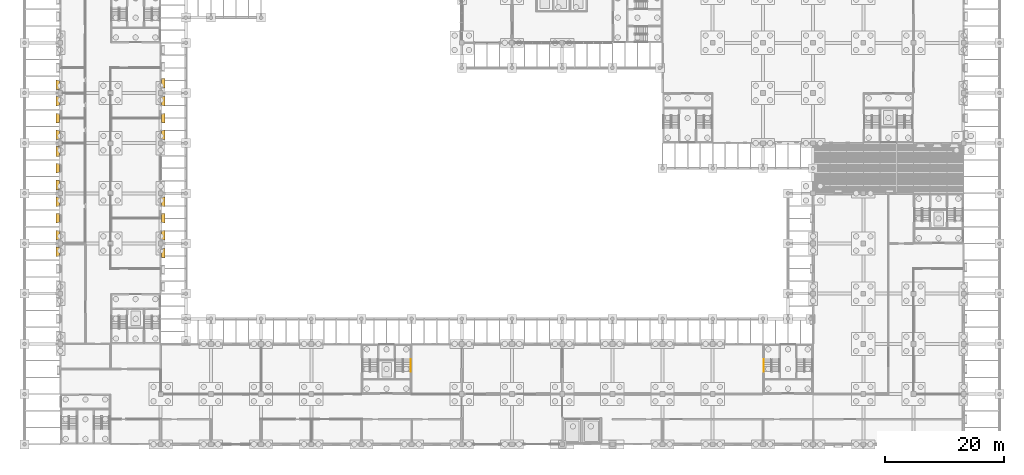
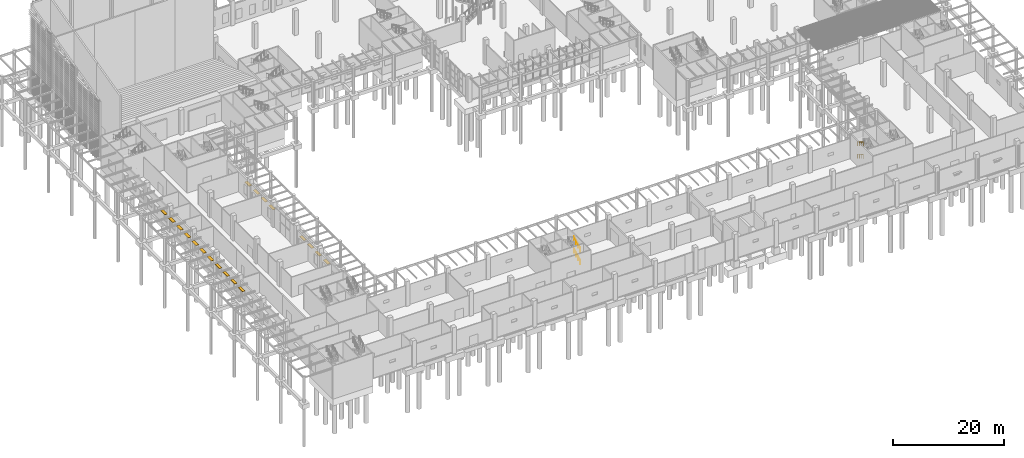
# One storey, part 58 of 82: 19 shading devices, 4 railings.
"""IFC4 building model written with IfcOpenShell, lengths in metres."""

from ifc_helpers import new_model, si_unit, direction, frame, origin, origin_2d, place, context, subcontext, project, spatial, rectangle, circle, extrude, material, material_profile, profile_set, type_object, element, save


model = new_model("IFC4")

# Units and contexts
model_context = context("Model", 3, precision=1e-05, world=origin(), true_north=direction((0.0, 1.0)))
body_context = subcontext(model_context, "Body", "Model", "MODEL_VIEW")
ifc_project = project(units=[si_unit("LENGTHUNIT", "METRE"), si_unit("AREAUNIT", "SQUARE_METRE"), si_unit("VOLUMEUNIT", "CUBIC_METRE"), si_unit("PLANEANGLEUNIT", "RADIAN"), si_unit("MASSUNIT", "GRAM", prefix="KILO")], contexts=[model_context])

# Site, building, storey
site_placement = place(None, origin())
site = spatial("IfcSite", under=ifc_project, at=site_placement, CompositionType="ELEMENT")
building_placement = place(site_placement, origin())
building = spatial("IfcBuilding", under=site, at=building_placement, Name="Almond Square Museum", CompositionType="ELEMENT")
storey_placement = place(building_placement, origin())
storey = spatial("IfcBuildingStorey", under=building, at=storey_placement, Name="L00", CompositionType="ELEMENT", Elevation=0.0)

# Railings
ifc_material_1 = material(Name="Stainless steel", Category="steel")
railing_type = type_object("IfcRailingType", Name="Stair handrail 900 steel", PredefinedType="HANDRAIL", material=ifc_material_1)
for number, where, name in (
    (1, (64.64501953125, 12.14990234375, 0.171875), "L00 ST-30 stair handrail 1"),
    (2, (64.64501953125, 12.14990234375, 2.921875), "L00 ST-30 stair handrail 3"),
):
    element("IfcRailing", number, at=place(storey_placement, frame(where)), inside=storey, type_object=railing_type, Name=name, PredefinedType="HANDRAIL", context=body_context, shape_type="SweptSolid", body=[
        extrude(circle(Radius=0.02392578125, at=origin_2d()), frame((0.0, 0.0, 0.8759765625), z_axis=(0.0, 0.867696358075, 0.497094588769), x_axis=(-1.0, 0.0, 0.0)), (0.0, 0.0, 1.0), 2.42041015625),
        extrude(circle(Radius=0.02099609375, at=origin_2d()), origin(), (0.0, 0.0, 1.0), 0.851806640625),
        extrude(circle(Radius=0.02099609375, at=origin_2d()), frame((0.0, 0.699951171875, 0.401123046875)), (0.0, 0.0, 1.0), 0.851806640625),
        extrude(circle(Radius=0.02099609375, at=origin_2d()), frame((0.0, 1.400146484375, 0.802001953125)), (0.0, 0.0, 1.0), 0.851806640625),
        extrude(circle(Radius=0.02099609375, at=origin_2d()), frame((0.0, 2.10009765625, 1.203125)), (0.0, 0.0, 1.0), 0.851806640625),
    ])
for number, where, name in (
    (3, (123.7548828125, 14.25, 1.546875), "L00 ST-31 stair handrail 2"),
    (4, (123.7548828125, 14.25, 4.296875), "L00 ST-31 stair handrail 4"),
):
    element("IfcRailing", number, at=place(storey_placement, frame(where)), inside=storey, type_object=railing_type, Name=name, PredefinedType="HANDRAIL", context=body_context, shape_type="SweptSolid", body=[
        extrude(circle(Radius=0.02392578125, at=origin_2d()), frame((0.0, 0.0, 0.8759765625), z_axis=(0.0, -0.867696358075, 0.497094588769), x_axis=(1.0, 0.0, 0.0)), (0.0, 0.0, 1.0), 2.42041015625),
        extrude(circle(Radius=0.02099609375, at=origin_2d()), origin(), (0.0, 0.0, 1.0), 0.851806640625),
        extrude(circle(Radius=0.02099609375, at=origin_2d()), frame((0.0, -0.699951171875, 0.401123046875)), (0.0, 0.0, 1.0), 0.851806640625),
        extrude(circle(Radius=0.02099609375, at=origin_2d()), frame((0.0, -1.400146484375, 0.802001953125)), (0.0, 0.0, 1.0), 0.851806640625),
        extrude(circle(Radius=0.02099609375, at=origin_2d()), frame((0.0, -2.10009765625, 1.203125)), (0.0, 0.0, 1.0), 0.851806640625),
    ])

# Shading devices
ifc_material_2 = material(Name="Anodised aluminium", Category="aluminium")
ifc_material_profile = material_profile(ifc_material_2, rectangle(XDim=0.60009765625, YDim=0.050048828125, at=origin_2d()))
ifc_profile_set = profile_set([ifc_material_profile], Name="Anodised aluminium")
shading_device_type = type_object("IfcShadingDeviceType", Name="Sun-shade blade 600 x 50", PredefinedType="USERDEFINED", material=ifc_profile_set)
for number, where, z_axis, x_axis, name in (
    (5, (23.222900390625, 31.199951171875, 3.1201171875), (0.0, 1.0, 0.0), (-1.0, 0.0, 0.0), "Sun-shade blade"),
    (6, (23.222900390625, 34.199951171875, 3.1201171875), (0.0, 1.0, 0.0), (-1.0, 0.0, 0.0), "Sun-shade blade"),
    (7, (23.222900390625, 37.0, 3.1201171875), (0.0, 1.0, 0.0), (-1.0, 0.0, 0.0), "Sun-shade blade"),
):
    element("IfcShadingDevice", number, at=place(storey_placement, frame(where, z_axis=z_axis, x_axis=x_axis)), inside=storey, type_object=shading_device_type, Name=name, ObjectType="LOUVRE", PredefinedType="USERDEFINED", context=body_context, shape_type="SweptSolid", body=[
        extrude(rectangle(XDim=0.60009765625, YDim=0.050048828125, at=origin_2d()), origin(), (0.0, 0.0, 1.0), 1.60009765625),
    ])
shading_device_1_placement = place(storey_placement, frame((23.222900390625, 39.800048828125, 3.1201171875), z_axis=(0.0, 1.0, 0.0), x_axis=(-1.0, 0.0, 0.0)))
element("IfcShadingDevice", 8, at=shading_device_1_placement, inside=storey, type_object=shading_device_type, Name="Sun-shade blade", ObjectType="LOUVRE", PredefinedType="USERDEFINED", context=body_context, shape_type="SweptSolid", body=[
    extrude(rectangle(XDim=0.60009765625, YDim=0.050048828125, at=origin_2d()), origin(), (0.0, 0.0, 1.0), 1.599853515625),
])
shading_device_2_placement = place(storey_placement, frame((23.222900390625, 51.0, 3.1201171875), z_axis=(0.0, 1.0, 0.0), x_axis=(-1.0, 0.0, 0.0)))
element("IfcShadingDevice", 9, at=shading_device_2_placement, inside=storey, type_object=shading_device_type, Name="Sun-shade blade", ObjectType="LOUVRE", PredefinedType="USERDEFINED", context=body_context, shape_type="SweptSolid", body=[
    extrude(rectangle(XDim=0.60009765625, YDim=0.050048828125, at=origin_2d()), origin(), (0.0, 0.0, 1.0), 1.60009765625),
])
for number, where, z_axis, x_axis, name in (
    (10, (23.222900390625, 53.800048828125, 3.1201171875), (0.0, 1.0, 0.0), (-1.0, 0.0, 0.0), "Sun-shade blade"),
    (11, (23.222900390625, 56.60009765625, 3.1201171875), (0.0, 1.0, 0.0), (-1.0, 0.0, 0.0), "Sun-shade blade"),
    (12, (23.222900390625, 59.60009765625, 3.1201171875), (0.0, 1.0, 0.0), (-1.0, 0.0, 0.0), "Sun-shade blade"),
):
    element("IfcShadingDevice", number, at=place(storey_placement, frame(where, z_axis=z_axis, x_axis=x_axis)), inside=storey, type_object=shading_device_type, Name=name, ObjectType="LOUVRE", PredefinedType="USERDEFINED", context=body_context, shape_type="SweptSolid", body=[
        extrude(rectangle(XDim=0.60009765625, YDim=0.050048828125, at=origin_2d()), origin(), (0.0, 0.0, 1.0), 1.599853515625),
    ])
for number, where, z_axis, x_axis, name in (
    (13, (5.576904296875, 59.39990234375, 3.1201171875), (0.0, 1.0, 0.0), (-1.0, 0.0, 0.0), "Sun-shade blade"),
    (14, (5.576904296875, 51.0, 3.1201171875), (0.0, 1.0, 0.0), (-1.0, 0.0, 0.0), "Sun-shade blade"),
):
    element("IfcShadingDevice", number, at=place(storey_placement, frame(where, z_axis=z_axis, x_axis=x_axis)), inside=storey, type_object=shading_device_type, Name=name, ObjectType="LOUVRE", PredefinedType="USERDEFINED", context=body_context, shape_type="SweptSolid", body=[
        extrude(rectangle(XDim=0.60009765625, YDim=0.050048828125, at=origin_2d()), origin(), (0.0, 0.0, 1.0), 1.60009765625),
    ])
for number, where, z_axis, x_axis, name in (
    (15, (5.576904296875, 53.800048828125, 3.1201171875), (0.0, 1.0, 0.0), (-1.0, 0.0, 0.0), "Sun-shade blade"),
    (16, (5.576904296875, 56.60009765625, 3.1201171875), (0.0, 1.0, 0.0), (-1.0, 0.0, 0.0), "Sun-shade blade"),
    (17, (5.576904296875, 42.60009765625, 3.1201171875), (0.0, 1.0, 0.0), (-1.0, 0.0, 0.0), "Sun-shade blade"),
):
    element("IfcShadingDevice", number, at=place(storey_placement, frame(where, z_axis=z_axis, x_axis=x_axis)), inside=storey, type_object=shading_device_type, Name=name, ObjectType="LOUVRE", PredefinedType="USERDEFINED", context=body_context, shape_type="SweptSolid", body=[
        extrude(rectangle(XDim=0.60009765625, YDim=0.050048828125, at=origin_2d()), origin(), (0.0, 0.0, 1.0), 1.599853515625),
    ])
for number, where, z_axis, x_axis, name in (
    (18, (5.576904296875, 45.39990234375, 3.1201171875), (0.0, 1.0, 0.0), (-1.0, 0.0, 0.0), "Sun-shade blade"),
    (19, (5.576904296875, 48.199951171875, 3.1201171875), (0.0, 1.0, 0.0), (-1.0, 0.0, 0.0), "Sun-shade blade"),
    (20, (5.576904296875, 34.199951171875, 3.1201171875), (0.0, 1.0, 0.0), (-1.0, 0.0, 0.0), "Sun-shade blade"),
    (21, (5.576904296875, 37.0, 3.1201171875), (0.0, 1.0, 0.0), (-1.0, 0.0, 0.0), "Sun-shade blade"),
):
    element("IfcShadingDevice", number, at=place(storey_placement, frame(where, z_axis=z_axis, x_axis=x_axis)), inside=storey, type_object=shading_device_type, Name=name, ObjectType="LOUVRE", PredefinedType="USERDEFINED", context=body_context, shape_type="SweptSolid", body=[
        extrude(rectangle(XDim=0.60009765625, YDim=0.050048828125, at=origin_2d()), origin(), (0.0, 0.0, 1.0), 1.60009765625),
    ])
shading_device_3_placement = place(storey_placement, frame((5.576904296875, 39.800048828125, 3.1201171875), z_axis=(0.0, 1.0, 0.0), x_axis=(-1.0, 0.0, 0.0)))
element("IfcShadingDevice", 22, at=shading_device_3_placement, inside=storey, type_object=shading_device_type, Name="Sun-shade blade", ObjectType="LOUVRE", PredefinedType="USERDEFINED", context=body_context, shape_type="SweptSolid", body=[
    extrude(rectangle(XDim=0.60009765625, YDim=0.050048828125, at=origin_2d()), origin(), (0.0, 0.0, 1.0), 1.599853515625),
])
shading_device_4_placement = place(storey_placement, frame((5.576904296875, 31.39990234375, 3.1201171875), z_axis=(0.0, 1.0, 0.0), x_axis=(-1.0, 0.0, 0.0)))
element("IfcShadingDevice", 23, at=shading_device_4_placement, inside=storey, type_object=shading_device_type, Name="Sun-shade blade", ObjectType="LOUVRE", PredefinedType="USERDEFINED", context=body_context, shape_type="SweptSolid", body=[
    extrude(rectangle(XDim=0.60009765625, YDim=0.050048828125, at=origin_2d()), origin(), (0.0, 0.0, 1.0), 1.60009765625),
])

save(model, "model.ifc")
